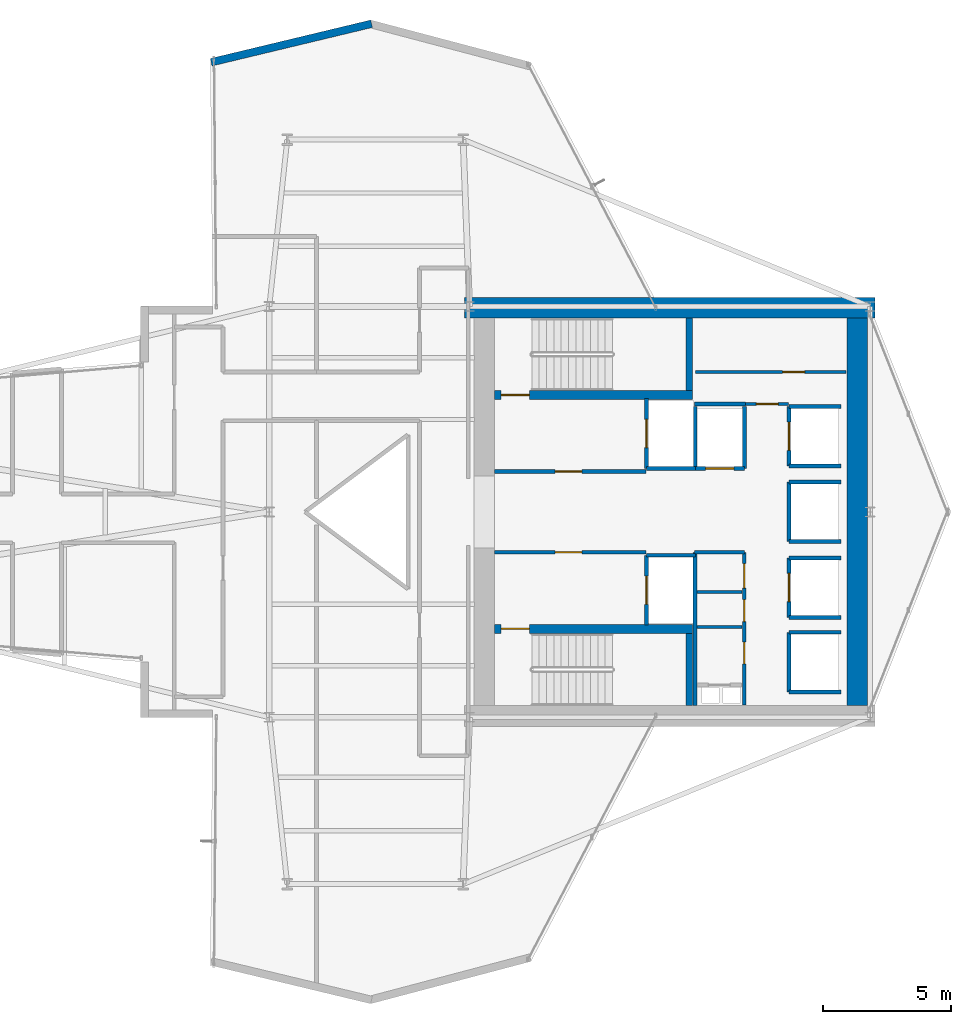
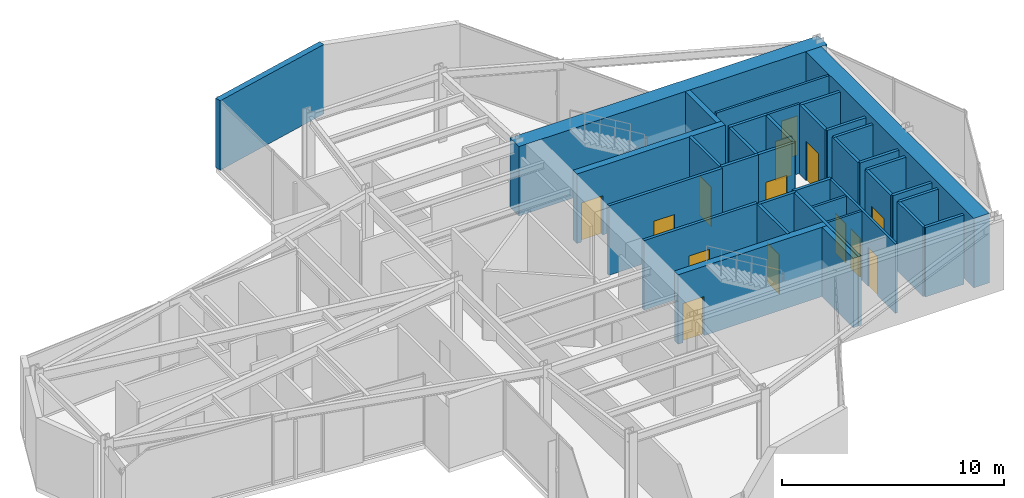
# One storey, part 23 of 25: 36 walls, 14 doors, 14 openings.
"""IFC4 building model written with IfcOpenShell, lengths in metres."""

from ifc_helpers import new_model, si_unit, direction, frame, frame_2d, origin, place, context, subcontext, project, spatial, rectangle, extrude, material, layer, layer_set, type_object, element, fill, save


model = new_model("IFC4")

# Units and contexts
model_context = context("Model", 3, precision=1e-05, world=origin(), true_north=direction((0.0, 1.0)))
body_context = subcontext(model_context, "Body", "Model", "MODEL_VIEW")
ifc_project = project(units=[si_unit("LENGTHUNIT", "METRE"), si_unit("AREAUNIT", "SQUARE_METRE"), si_unit("VOLUMEUNIT", "CUBIC_METRE"), si_unit("PLANEANGLEUNIT", "RADIAN"), si_unit("MASSUNIT", "GRAM", prefix="KILO")], contexts=[model_context])

# Site, building, storey
site_placement = place(None, origin())
site = spatial("IfcSite", under=ifc_project, at=site_placement, CompositionType="ELEMENT")
building_placement = place(site_placement, origin())
building = spatial("IfcBuilding", under=site, at=building_placement, Name="Veymaron Broadcast Tower", CompositionType="ELEMENT")
storey_placement = place(building_placement, frame((0.0, 0.0, 141.14990234375)))
storey = spatial("IfcBuildingStorey", under=building, at=storey_placement, Name="L32", CompositionType="ELEMENT", Elevation=141.14990234375)

# Wall
ifc_material_1 = material(Name="Precast concrete C40/50 with mineral-wool insulation", Category="concrete")
ifc_layer_1 = layer(ifc_material_1, 0.300048828125)
ifc_layer_set_1 = layer_set([ifc_layer_1], Name="Precast concrete C40/50 with mineral-wool insulation")
wall_type_1 = type_object("IfcWallType", Name="WALL-EXT-300", PredefinedType="STANDARD", material=ifc_layer_set_1)
wall_1_placement = place(storey_placement, frame((35.1826171875, 43.013916015625, 0.0), z_axis=(0.0, 0.0, 1.0), x_axis=(-0.972368674271, -0.233450554286, 0.0)))
element("IfcWall", 1, at=wall_1_placement, inside=storey, type_object=wall_type_1, Name="L32 notched corner facade pier 7-1", PredefinedType="STANDARD", context=body_context, shape_type="SweptSolid", body=[
    extrude(rectangle(XDim=6.42529296875, YDim=0.300048828125, at=frame_2d((3.212646484375, 0.0))), origin(), (0.0, 0.0, 1.0), 3.81005859375),
])

# Wall, opening, door
ifc_material_2 = material(Name="Gypsum fireboard and steel stud framing", Category="steel")
ifc_layer_2 = layer(ifc_material_2, 0.14990234375)
ifc_layer_set_2 = layer_set([ifc_layer_2], Name="Gypsum fireboard and steel stud framing")
wall_type_2 = type_object("IfcWallType", Name="WALL-FIRE-150", PredefinedType="PARTITIONING", material=ifc_layer_set_2)
wall_2_placement = place(storey_placement, frame((39.97998046875, 25.574951171875, 0.0), z_axis=(0.0, 0.0, 1.0), x_axis=(1.0, 0.0, 0.0)))
wall_2 = element("IfcWall", 2, at=wall_2_placement, inside=storey, type_object=wall_type_2, Name="L32 partition IW-L32-FFLN-S", PredefinedType="PARTITIONING", context=body_context, shape_type="SweptSolid", body=[
    extrude(rectangle(XDim=5.89990234375, YDim=0.14990234375, at=frame_2d((2.949951171875, 0.0))), origin(), (0.0, 0.0, 1.0), 3.81005859375),
])
opening_1_placement = place(wall_2_placement, frame((2.35009765625, 0.0, 0.0)))
opening_1 = element("IfcOpeningElement", 3, at=opening_1_placement, cuts=wall_2, Name="Opening ID-FL1", PredefinedType="OPENING", context=body_context, shape_type="SweptSolid", body=[
    extrude(rectangle(XDim=1.050048828125, YDim=2.14990234375, at=frame_2d((0.52490234375, 1.074951171875))), frame((0.0, 0.0849609375, 0.0), z_axis=(0.0, -1.0, 0.0), x_axis=(1.0, 0.0, 0.0)), (0.0, 0.0, 1.0), 0.169921875),
])
ifc_material_3 = material(Name="Fire-rated painted hollow steel ASTM A653", Category="steel")
door_type_1 = type_object("IfcDoorType", Name="DOOR-FIRE-1050", OperationType="NOTDEFINED", PredefinedType="DOOR", material=ifc_material_3)
door_1_placement = place(opening_1_placement, origin())
door_1 = element("IfcDoor", 4, at=door_1_placement, inside=storey, type_object=door_type_1, Name="L32 door DR-L32-FFLN", OperationType="SINGLE_SWING_LEFT", OverallHeight=2.14990234375, OverallWidth=1.050048828125, PredefinedType="DOOR", context=body_context, shape_type="SweptSolid", body=[
    extrude(rectangle(XDim=1.050048828125, YDim=2.14990234375, at=frame_2d((0.52490234375, 1.074951171875))), frame((0.0, 0.02490234375, 0.0), z_axis=(0.0, -1.0, 0.0), x_axis=(1.0, 0.0, 0.0)), (0.0, 0.0, 1.0), 0.050048828125),
])
fill(opening_1, door_1)

wall_3_placement = place(storey_placement, frame((39.97998046875, 22.425048828125, 0.0), z_axis=(0.0, 0.0, 1.0), x_axis=(1.0, 0.0, 0.0)))
wall_3 = element("IfcWall", 5, at=wall_3_placement, inside=storey, type_object=wall_type_2, Name="L32 partition IW-L32-FFLS-N", PredefinedType="PARTITIONING", context=body_context, shape_type="SweptSolid", body=[
    extrude(rectangle(XDim=5.89990234375, YDim=0.14990234375, at=frame_2d((2.949951171875, 0.0))), origin(), (0.0, 0.0, 1.0), 3.81005859375),
])
opening_2_placement = place(wall_3_placement, frame((2.35009765625, 0.0, 0.0)))
opening_2 = element("IfcOpeningElement", 6, at=opening_2_placement, cuts=wall_3, Name="Opening ID-FL1", PredefinedType="OPENING", context=body_context, shape_type="SweptSolid", body=[
    extrude(rectangle(XDim=1.050048828125, YDim=2.14990234375, at=frame_2d((0.52490234375, 1.074951171875))), frame((0.0, 0.0849609375, 0.0), z_axis=(0.0, -1.0, 0.0), x_axis=(1.0, 0.0, 0.0)), (0.0, 0.0, 1.0), 0.169921875),
])
door_2_placement = place(opening_2_placement, frame((1.050048828125, 0.0, 0.0), z_axis=(0.0, 0.0, 1.0), x_axis=(-1.0, 0.0, 0.0)))
door_2 = element("IfcDoor", 7, at=door_2_placement, inside=storey, type_object=door_type_1, Name="L32 door DR-L32-FFLS", OperationType="SINGLE_SWING_RIGHT", OverallHeight=2.14990234375, OverallWidth=1.050048828125, PredefinedType="DOOR", context=body_context, shape_type="SweptSolid", body=[
    extrude(rectangle(XDim=1.050048828125, YDim=2.14990234375, at=frame_2d((0.52490234375, 1.074951171875))), frame((0.0, 0.02490234375, 0.0), z_axis=(0.0, -1.0, 0.0), x_axis=(1.0, 0.0, 0.0)), (0.0, 0.0, 1.0), 0.050048828125),
])
fill(opening_2, door_2)

wall_4_placement = place(storey_placement, frame((45.89501953125, 25.68994140625, 0.0), z_axis=(0.0, 0.0, 1.0), x_axis=(0.0, 1.0, 0.0)))
wall_4 = element("IfcWall", 8, at=wall_4_placement, inside=storey, type_object=wall_type_2, Name="L32 partition IW-L32-SHW-FFL-1", PredefinedType="PARTITIONING", context=body_context, shape_type="SweptSolid", body=[
    extrude(rectangle(XDim=2.719970703125, YDim=0.14990234375, at=frame_2d((1.35986328125, 0.0))), origin(), (0.0, 0.0, 1.0), 3.81005859375),
])
opening_3_placement = place(wall_4_placement, frame((0.81005859375, 0.0, 0.0)))
opening_3 = element("IfcOpeningElement", 9, at=opening_3_placement, cuts=wall_4, Name="Opening LD", PredefinedType="OPENING", context=body_context, shape_type="SweptSolid", body=[
    extrude(rectangle(XDim=1.10009765625, YDim=2.14990234375, at=frame_2d((0.550048828125, 1.074951171875))), frame((0.0, 0.0849609375, 0.0), z_axis=(0.0, -1.0, 0.0), x_axis=(1.0, 0.0, 0.0)), (0.0, 0.0, 1.0), 0.169921875),
])
ifc_material_4 = material(Name="Brushed stainless steel AISI 304", Category="steel")
door_type_2 = type_object("IfcDoorType", Name="DOOR-LIFT-1100", OperationType="DOUBLE_DOOR_SLIDING", PredefinedType="DOOR", material=ifc_material_4)
door_3_placement = place(opening_3_placement, frame((1.10009765625, 0.0, 0.0), z_axis=(0.0, 0.0, 1.0), x_axis=(-1.0, 0.0, 0.0)))
door_3 = element("IfcDoor", 10, at=door_3_placement, inside=storey, type_object=door_type_2, Name="L32 door LD-L32-FFL-1", OperationType="DOUBLE_DOOR_SLIDING", OverallHeight=2.14990234375, OverallWidth=1.10009765625, PredefinedType="DOOR", context=body_context, shape_type="SweptSolid", body=[
    extrude(rectangle(XDim=1.10009765625, YDim=2.14990234375, at=frame_2d((0.550048828125, 1.074951171875))), frame((0.0, 0.02490234375, 0.0), z_axis=(0.0, -1.0, 0.0), x_axis=(1.0, 0.0, 0.0)), (0.0, 0.0, 1.0), 0.050048828125),
])
fill(opening_3, door_3)

# Wall
wall_5_placement = place(storey_placement, frame((45.89501953125, 25.68994140625, 0.0), z_axis=(0.0, 0.0, 1.0), x_axis=(1.0, 0.0, 0.0)))
element("IfcWall", 11, at=wall_5_placement, inside=storey, type_object=wall_type_2, Name="L32 partition IW-L32-SHS-FFL-1", PredefinedType="PARTITIONING", context=body_context, shape_type="SweptSolid", body=[
    extrude(rectangle(XDim=1.9150390625, YDim=0.14990234375, at=frame_2d((0.95751953125, 0.0))), origin(), (0.0, 0.0, 1.0), 3.81005859375),
])

# Wall, opening, door
wall_6_placement = place(storey_placement, frame((45.89501953125, 19.590087890625, 0.0), z_axis=(0.0, 0.0, 1.0), x_axis=(0.0, 1.0, 0.0)))
wall_6 = element("IfcWall", 12, at=wall_6_placement, inside=storey, type_object=wall_type_2, Name="L32 partition IW-L32-SHW-FFL-2", PredefinedType="PARTITIONING", context=body_context, shape_type="SweptSolid", body=[
    extrude(rectangle(XDim=2.719970703125, YDim=0.14990234375, at=frame_2d((1.35986328125, 0.0))), origin(), (0.0, 0.0, 1.0), 3.81005859375),
])
opening_4_placement = place(wall_6_placement, frame((0.81005859375, 0.0, 0.0)))
opening_4 = element("IfcOpeningElement", 13, at=opening_4_placement, cuts=wall_6, Name="Opening LD", PredefinedType="OPENING", context=body_context, shape_type="SweptSolid", body=[
    extrude(rectangle(XDim=1.10009765625, YDim=2.14990234375, at=frame_2d((0.550048828125, 1.074951171875))), frame((0.0, 0.0849609375, 0.0), z_axis=(0.0, -1.0, 0.0), x_axis=(1.0, 0.0, 0.0)), (0.0, 0.0, 1.0), 0.169921875),
])
door_4_placement = place(opening_4_placement, frame((1.10009765625, 0.0, 0.0), z_axis=(0.0, 0.0, 1.0), x_axis=(-1.0, 0.0, 0.0)))
door_4 = element("IfcDoor", 14, at=door_4_placement, inside=storey, type_object=door_type_2, Name="L32 door LD-L32-FFL-2", OperationType="DOUBLE_DOOR_SLIDING", OverallHeight=2.14990234375, OverallWidth=1.10009765625, PredefinedType="DOOR", context=body_context, shape_type="SweptSolid", body=[
    extrude(rectangle(XDim=1.10009765625, YDim=2.14990234375, at=frame_2d((0.550048828125, 1.074951171875))), frame((0.0, 0.02490234375, 0.0), z_axis=(0.0, -1.0, 0.0), x_axis=(1.0, 0.0, 0.0)), (0.0, 0.0, 1.0), 0.050048828125),
])
fill(opening_4, door_4)

# Wall
wall_7_placement = place(storey_placement, frame((45.89501953125, 22.31005859375, 0.0), z_axis=(0.0, 0.0, 1.0), x_axis=(1.0, 0.0, 0.0)))
element("IfcWall", 15, at=wall_7_placement, inside=storey, type_object=wall_type_2, Name="L32 partition IW-L32-SHN-FFL-2", PredefinedType="PARTITIONING", context=body_context, shape_type="SweptSolid", body=[
    extrude(rectangle(XDim=1.9150390625, YDim=0.14990234375, at=frame_2d((0.95751953125, 0.0))), origin(), (0.0, 0.0, 1.0), 3.81005859375),
])

# Wall, opening, door
wall_8_placement = place(storey_placement, frame((47.7900390625, 25.695068359375, 0.0), z_axis=(0.0, 0.0, 1.0), x_axis=(1.0, 0.0, 0.0)))
wall_8 = element("IfcWall", 16, at=wall_8_placement, inside=storey, type_object=wall_type_2, Name="L32 partition IW-L32-SHS-SL-1", PredefinedType="PARTITIONING", context=body_context, shape_type="SweptSolid", body=[
    extrude(rectangle(XDim=1.919921875, YDim=0.14990234375, at=frame_2d((0.9599609375, 0.0))), origin(), (0.0, 0.0, 1.0), 3.81005859375),
])
opening_5_placement = place(wall_8_placement, frame((0.409912109375, 0.0, 0.0)))
opening_5 = element("IfcOpeningElement", 17, at=opening_5_placement, cuts=wall_8, Name="Opening LD", PredefinedType="OPENING", context=body_context, shape_type="SweptSolid", body=[
    extrude(rectangle(XDim=1.10009765625, YDim=2.14990234375, at=frame_2d((0.550048828125, 1.074951171875))), frame((0.0, 0.0849609375, 0.0), z_axis=(0.0, -1.0, 0.0), x_axis=(1.0, 0.0, 0.0)), (0.0, 0.0, 1.0), 0.169921875),
])
door_5_placement = place(opening_5_placement, frame((1.10009765625, 0.0, 0.0), z_axis=(0.0, 0.0, 1.0), x_axis=(-1.0, 0.0, 0.0)))
door_5 = element("IfcDoor", 18, at=door_5_placement, inside=storey, type_object=door_type_2, Name="L32 door LD-L32-SL-1", OperationType="DOUBLE_DOOR_SLIDING", OverallHeight=2.14990234375, OverallWidth=1.10009765625, PredefinedType="DOOR", context=body_context, shape_type="SweptSolid", body=[
    extrude(rectangle(XDim=1.10009765625, YDim=2.14990234375, at=frame_2d((0.550048828125, 1.074951171875))), frame((0.0, 0.02490234375, 0.0), z_axis=(0.0, -1.0, 0.0), x_axis=(1.0, 0.0, 0.0)), (0.0, 0.0, 1.0), 0.050048828125),
])
fill(opening_5, door_5)

# Walls
for number, where, z_axis, x_axis, name in (
    (19, (47.7900390625, 25.695068359375, 0.0), (0.0, 0.0, 1.0), (0.0, 1.0, 0.0), "L32 partition IW-L32-SHW-SL-1"),
    (20, (49.7099609375, 25.695068359375, 0.0), (0.0, 0.0, 1.0), (0.0, 1.0, 0.0), "L32 partition IW-L32-SHE-SL-1"),
):
    element("IfcWall", number, at=place(storey_placement, frame(where, z_axis=z_axis, x_axis=x_axis)), inside=storey, type_object=wall_type_2, Name=name, PredefinedType="PARTITIONING", context=body_context, shape_type="SweptSolid", body=[
        extrude(rectangle(XDim=2.4150390625, YDim=0.14990234375, at=frame_2d((1.20751953125, 0.0))), origin(), (0.0, 0.0, 1.0), 3.81005859375),
    ])

# Wall, opening, door
wall_9_placement = place(storey_placement, frame((51.445068359375, 25.7900390625, 0.0), z_axis=(0.0, 0.0, 1.0), x_axis=(0.0, 1.0, 0.0)))
wall_9 = element("IfcWall", 21, at=wall_9_placement, inside=storey, type_object=wall_type_2, Name="L32 partition IW-L32-SHW-PM1", PredefinedType="PARTITIONING", context=body_context, shape_type="SweptSolid", body=[
    extrude(rectangle(XDim=2.320068359375, YDim=0.14990234375, at=frame_2d((1.16015625, 0.0))), origin(), (0.0, 0.0, 1.0), 3.81005859375),
])
opening_6_placement = place(wall_9_placement, frame((0.610107421875, 0.0, 0.0)))
opening_6 = element("IfcOpeningElement", 22, at=opening_6_placement, cuts=wall_9, Name="Opening LD", PredefinedType="OPENING", context=body_context, shape_type="SweptSolid", body=[
    extrude(rectangle(XDim=1.10009765625, YDim=2.14990234375, at=frame_2d((0.550048828125, 1.074951171875))), frame((0.0, 0.0849609375, 0.0), z_axis=(0.0, -1.0, 0.0), x_axis=(1.0, 0.0, 0.0)), (0.0, 0.0, 1.0), 0.169921875),
])
door_6_placement = place(opening_6_placement, frame((1.10009765625, 0.0, 0.0), z_axis=(0.0, 0.0, 1.0), x_axis=(-1.0, 0.0, 0.0)))
door_6 = element("IfcDoor", 23, at=door_6_placement, inside=storey, type_object=door_type_2, Name="L32 door LD-L32-PM1", OperationType="DOUBLE_DOOR_SLIDING", OverallHeight=2.14990234375, OverallWidth=1.10009765625, PredefinedType="DOOR", context=body_context, shape_type="SweptSolid", body=[
    extrude(rectangle(XDim=1.10009765625, YDim=2.14990234375, at=frame_2d((0.550048828125, 1.074951171875))), frame((0.0, 0.02490234375, 0.0), z_axis=(0.0, -1.0, 0.0), x_axis=(1.0, 0.0, 0.0)), (0.0, 0.0, 1.0), 0.050048828125),
])
fill(opening_6, door_6)

# Walls
for number, where, z_axis, x_axis, name in (
    (24, (51.445068359375, 25.7900390625, 0.0), (0.0, 0.0, 1.0), (1.0, 0.0, 0.0), "L32 partition IW-L32-SHS-PM1"),
    (25, (51.445068359375, 28.110107421875, 0.0), (0.0, 0.0, 1.0), (1.0, 0.0, 0.0), "L32 partition IW-L32-SHN-PM1"),
):
    element("IfcWall", number, at=place(storey_placement, frame(where, z_axis=z_axis, x_axis=x_axis)), inside=storey, type_object=wall_type_2, Name=name, PredefinedType="PARTITIONING", context=body_context, shape_type="SweptSolid", body=[
        extrude(rectangle(XDim=2.014892578125, YDim=0.14990234375, at=frame_2d((1.00732421875, 0.0))), origin(), (0.0, 0.0, 1.0), 3.81005859375),
    ])

# Wall, opening, door
wall_10_placement = place(storey_placement, frame((51.445068359375, 19.889892578125, 0.0), z_axis=(0.0, 0.0, 1.0), x_axis=(0.0, 1.0, 0.0)))
wall_10 = element("IfcWall", 26, at=wall_10_placement, inside=storey, type_object=wall_type_2, Name="L32 partition IW-L32-SHW-PM2", PredefinedType="PARTITIONING", context=body_context, shape_type="SweptSolid", body=[
    extrude(rectangle(XDim=2.320068359375, YDim=0.14990234375, at=frame_2d((1.16015625, 0.0))), origin(), (0.0, 0.0, 1.0), 3.81005859375),
])
opening_7_placement = place(wall_10_placement, frame((0.610107421875, 0.0, 0.0)))
opening_7 = element("IfcOpeningElement", 27, at=opening_7_placement, cuts=wall_10, Name="Opening LD", PredefinedType="OPENING", context=body_context, shape_type="SweptSolid", body=[
    extrude(rectangle(XDim=1.10009765625, YDim=2.14990234375, at=frame_2d((0.550048828125, 1.074951171875))), frame((0.0, 0.0849609375, 0.0), z_axis=(0.0, -1.0, 0.0), x_axis=(1.0, 0.0, 0.0)), (0.0, 0.0, 1.0), 0.169921875),
])
door_7_placement = place(opening_7_placement, frame((1.10009765625, 0.0, 0.0), z_axis=(0.0, 0.0, 1.0), x_axis=(-1.0, 0.0, 0.0)))
door_7 = element("IfcDoor", 28, at=door_7_placement, inside=storey, type_object=door_type_2, Name="L32 door LD-L32-PM2", OperationType="DOUBLE_DOOR_SLIDING", OverallHeight=2.14990234375, OverallWidth=1.10009765625, PredefinedType="DOOR", context=body_context, shape_type="SweptSolid", body=[
    extrude(rectangle(XDim=1.10009765625, YDim=2.14990234375, at=frame_2d((0.550048828125, 1.074951171875))), frame((0.0, 0.02490234375, 0.0), z_axis=(0.0, -1.0, 0.0), x_axis=(1.0, 0.0, 0.0)), (0.0, 0.0, 1.0), 0.050048828125),
])
fill(opening_7, door_7)

# Walls
for number, where, z_axis, x_axis, name in (
    (29, (51.445068359375, 19.889892578125, 0.0), (0.0, 0.0, 1.0), (1.0, 0.0, 0.0), "L32 partition IW-L32-SHS-PM2"),
    (30, (51.445068359375, 22.2099609375, 0.0), (0.0, 0.0, 1.0), (1.0, 0.0, 0.0), "L32 partition IW-L32-SHN-PM2"),
):
    element("IfcWall", number, at=place(storey_placement, frame(where, z_axis=z_axis, x_axis=x_axis)), inside=storey, type_object=wall_type_2, Name=name, PredefinedType="PARTITIONING", context=body_context, shape_type="SweptSolid", body=[
        extrude(rectangle(XDim=2.014892578125, YDim=0.14990234375, at=frame_2d((1.00732421875, 0.0))), origin(), (0.0, 0.0, 1.0), 3.81005859375),
    ])
wall_11_placement = place(storey_placement, frame((51.445068359375, 22.840087890625, 0.0), z_axis=(0.0, 0.0, 1.0), x_axis=(0.0, 1.0, 0.0)))
element("IfcWall", 31, at=wall_11_placement, inside=storey, type_object=wall_type_2, Name="L32 partition IW-L32-SHW-PM3", PredefinedType="PARTITIONING", context=body_context, shape_type="SweptSolid", body=[
    extrude(rectangle(XDim=2.31982421875, YDim=0.14990234375, at=frame_2d((1.159912109375, 0.0))), origin(), (0.0, 0.0, 1.0), 3.81005859375),
])
for number, where, z_axis, x_axis, name in (
    (32, (51.445068359375, 22.840087890625, 0.0), (0.0, 0.0, 1.0), (1.0, 0.0, 0.0), "L32 partition IW-L32-SHS-PM3"),
    (33, (51.445068359375, 25.159912109375, 0.0), (0.0, 0.0, 1.0), (1.0, 0.0, 0.0), "L32 partition IW-L32-SHN-PM3"),
):
    element("IfcWall", number, at=place(storey_placement, frame(where, z_axis=z_axis, x_axis=x_axis)), inside=storey, type_object=wall_type_2, Name=name, PredefinedType="PARTITIONING", context=body_context, shape_type="SweptSolid", body=[
        extrude(rectangle(XDim=2.014892578125, YDim=0.14990234375, at=frame_2d((1.00732421875, 0.0))), origin(), (0.0, 0.0, 1.0), 3.81005859375),
    ])
wall_12_placement = place(storey_placement, frame((51.445068359375, 16.989990234375, 0.0), z_axis=(0.0, 0.0, 1.0), x_axis=(0.0, 1.0, 0.0)))
element("IfcWall", 34, at=wall_12_placement, inside=storey, type_object=wall_type_2, Name="L32 partition IW-L32-SHW-PH1", PredefinedType="PARTITIONING", context=body_context, shape_type="SweptSolid", body=[
    extrude(rectangle(XDim=2.320068359375, YDim=0.14990234375, at=frame_2d((1.16015625, 0.0))), origin(), (0.0, 0.0, 1.0), 3.81005859375),
])
for number, where, z_axis, x_axis, name in (
    (35, (51.445068359375, 16.989990234375, 0.0), (0.0, 0.0, 1.0), (1.0, 0.0, 0.0), "L32 partition IW-L32-SHS-PH1"),
    (36, (51.445068359375, 19.31005859375, 0.0), (0.0, 0.0, 1.0), (1.0, 0.0, 0.0), "L32 partition IW-L32-SHN-PH1"),
):
    element("IfcWall", number, at=place(storey_placement, frame(where, z_axis=z_axis, x_axis=x_axis)), inside=storey, type_object=wall_type_2, Name=name, PredefinedType="PARTITIONING", context=body_context, shape_type="SweptSolid", body=[
        extrude(rectangle(XDim=2.014892578125, YDim=0.14990234375, at=frame_2d((1.00732421875, 0.0))), origin(), (0.0, 0.0, 1.0), 3.81005859375),
    ])
wall_13_placement = place(storey_placement, frame((47.760009765625, 22.425048828125, 0.0), z_axis=(0.0, 0.0, 1.0), x_axis=(1.0, 0.0, 0.0)))
element("IfcWall", 37, at=wall_13_placement, inside=storey, type_object=wall_type_2, Name="L32 partition IW-L32-SM-N", PredefinedType="PARTITIONING", context=body_context, shape_type="SweptSolid", body=[
    extrude(rectangle(XDim=1.9599609375, YDim=0.14990234375, at=frame_2d((0.97998046875, 0.0))), origin(), (0.0, 0.0, 1.0), 3.81005859375),
])
wall_14_placement = place(storey_placement, frame((47.780029296875, 16.449951171875, 0.0), z_axis=(0.0, 0.0, 1.0), x_axis=(0.0, 1.0, 0.0)))
element("IfcWall", 38, at=wall_14_placement, inside=storey, type_object=wall_type_2, Name="L32 partition IW-L32-SM-W", PredefinedType="PARTITIONING", context=body_context, shape_type="SweptSolid", body=[
    extrude(rectangle(XDim=5.97509765625, YDim=0.14990234375, at=frame_2d((2.987548828125, 0.0))), origin(), (0.0, 0.0, 1.0), 3.81005859375),
])
wall_15_placement = place(storey_placement, frame((47.760009765625, 28.199951171875, 0.0), z_axis=(0.0, 0.0, 1.0), x_axis=(1.0, 0.0, 0.0)))
element("IfcWall", 39, at=wall_15_placement, inside=storey, type_object=wall_type_2, Name="L32 partition IW-L32-F1-SW", PredefinedType="PARTITIONING", context=body_context, shape_type="SweptSolid", body=[
    extrude(rectangle(XDim=1.989990234375, YDim=0.14990234375, at=frame_2d((0.9951171875, 0.0))), origin(), (0.0, 0.0, 1.0), 3.81005859375),
])
ifc_material_5 = material(Name="Acoustic gypsum board and galvanized stud", Category="gypsum")
ifc_layer_3 = layer(ifc_material_5, 0.1201171875)
ifc_layer_set_3 = layer_set([ifc_layer_3], Name="Acoustic gypsum board and galvanized stud")
wall_type_3 = type_object("IfcWallType", Name="WALL-PART-120", PredefinedType="PARTITIONING", material=ifc_layer_set_3)
for number, where, z_axis, x_axis, name in (
    (40, (47.860107421875, 19.52001953125, 0.0), (0.0, 0.0, 1.0), (1.0, 0.0, 0.0), "L32 partition IW-L32-SM-D1"),
    (41, (47.860107421875, 20.8798828125, 0.0), (0.0, 0.0, 1.0), (1.0, 0.0, 0.0), "L32 partition IW-L32-SM-D2"),
):
    element("IfcWall", number, at=place(storey_placement, frame(where, z_axis=z_axis, x_axis=x_axis)), inside=storey, type_object=wall_type_3, Name=name, PredefinedType="PARTITIONING", context=body_context, shape_type="SweptSolid", body=[
        extrude(rectangle(XDim=1.760009765625, YDim=0.1201171875, at=frame_2d((0.8798828125, 0.0))), origin(), (0.0, 0.0, 1.0), 3.81005859375),
    ])

# Wall, openings, doors
wall_16_placement = place(storey_placement, frame((49.699951171875, 16.47998046875, 0.0), z_axis=(0.0, 0.0, 1.0), x_axis=(0.0, 1.0, 0.0)))
wall_16 = element("IfcWall", 42, at=wall_16_placement, inside=storey, type_object=wall_type_3, Name="L32 partition IW-L32-SM-E", PredefinedType="PARTITIONING", context=body_context, shape_type="SweptSolid", body=[
    extrude(rectangle(XDim=5.945068359375, YDim=0.1201171875, at=frame_2d((2.97265625, 0.0))), origin(), (0.0, 0.0, 1.0), 3.81005859375),
])
opening_8_placement = place(wall_16_placement, frame((1.60009765625, 0.0, 0.0)))
opening_8 = element("IfcOpeningElement", 43, at=opening_8_placement, cuts=wall_16, Name="Opening ID-WC1", PredefinedType="OPENING", context=body_context, shape_type="SweptSolid", body=[
    extrude(rectangle(XDim=0.85009765625, YDim=2.14990234375, at=frame_2d((0.425048828125, 1.074951171875))), frame((0.0, 0.070068359375, 0.0), z_axis=(0.0, -1.0, 0.0), x_axis=(1.0, 0.0, 0.0)), (0.0, 0.0, 1.0), 0.14013671875),
])
opening_9_placement = place(wall_16_placement, frame((3.25, 0.0, 0.0)))
opening_9 = element("IfcOpeningElement", 44, at=opening_9_placement, cuts=wall_16, Name="Opening ID-WC1", PredefinedType="OPENING", context=body_context, shape_type="SweptSolid", body=[
    extrude(rectangle(XDim=0.85009765625, YDim=2.14990234375, at=frame_2d((0.425048828125, 1.074951171875))), frame((0.0, 0.070068359375, 0.0), z_axis=(0.0, -1.0, 0.0), x_axis=(1.0, 0.0, 0.0)), (0.0, 0.0, 1.0), 0.14013671875),
])
opening_10_placement = place(wall_16_placement, frame((4.550048828125, 0.0, 0.0)))
opening_10 = element("IfcOpeningElement", 45, at=opening_10_placement, cuts=wall_16, Name="Opening ID-RM1", PredefinedType="OPENING", context=body_context, shape_type="SweptSolid", body=[
    extrude(rectangle(XDim=0.949951171875, YDim=2.14990234375, at=frame_2d((0.47509765625, 1.074951171875))), frame((0.0, 0.070068359375, 0.0), z_axis=(0.0, -1.0, 0.0), x_axis=(1.0, 0.0, 0.0)), (0.0, 0.0, 1.0), 0.14013671875),
])
ifc_material_6 = material(Name="Moisture-resistant high-pressure laminate timber", Category="wood")
door_type_3 = type_object("IfcDoorType", Name="DOOR-INT-850", OperationType="NOTDEFINED", PredefinedType="DOOR", material=ifc_material_6)
door_8_placement = place(opening_8_placement, frame((0.85009765625, 0.0, 0.0), z_axis=(0.0, 0.0, 1.0), x_axis=(-1.0, 0.0, 0.0)))
door_8 = element("IfcDoor", 46, at=door_8_placement, inside=storey, type_object=door_type_3, Name="L32 door DR-L32-JST", OperationType="SINGLE_SWING_LEFT", OverallHeight=2.14990234375, OverallWidth=0.85009765625, PredefinedType="DOOR", context=body_context, shape_type="SweptSolid", body=[
    extrude(rectangle(XDim=0.85009765625, YDim=2.14990234375, at=frame_2d((0.425048828125, 1.074951171875))), frame((0.0, 0.02490234375, 0.0), z_axis=(0.0, -1.0, 0.0), x_axis=(1.0, 0.0, 0.0)), (0.0, 0.0, 1.0), 0.050048828125),
])
fill(opening_8, door_8)
door_9_placement = place(opening_9_placement, frame((0.85009765625, 0.0, 0.0), z_axis=(0.0, 0.0, 1.0), x_axis=(-1.0, 0.0, 0.0)))
door_9 = element("IfcDoor", 47, at=door_9_placement, inside=storey, type_object=door_type_3, Name="L32 door DR-L32-SWC", OperationType="SINGLE_SWING_RIGHT", OverallHeight=2.14990234375, OverallWidth=0.85009765625, PredefinedType="DOOR", context=body_context, shape_type="SweptSolid", body=[
    extrude(rectangle(XDim=0.85009765625, YDim=2.14990234375, at=frame_2d((0.425048828125, 1.074951171875))), frame((0.0, 0.02490234375, 0.0), z_axis=(0.0, -1.0, 0.0), x_axis=(1.0, 0.0, 0.0)), (0.0, 0.0, 1.0), 0.050048828125),
])
fill(opening_9, door_9)
ifc_material_7 = material(Name="Acoustic solid-core European oak veneer timber", Category="wood")
door_type_4 = type_object("IfcDoorType", Name="DOOR-INT-950", OperationType="NOTDEFINED", PredefinedType="DOOR", material=ifc_material_7)
door_10_placement = place(opening_10_placement, frame((0.949951171875, 0.0, 0.0), z_axis=(0.0, 0.0, 1.0), x_axis=(-1.0, 0.0, 0.0)))
door_10 = element("IfcDoor", 48, at=door_10_placement, inside=storey, type_object=door_type_4, Name="L32 door DR-L32-AWC", OperationType="SINGLE_SWING_LEFT", OverallHeight=2.14990234375, OverallWidth=0.949951171875, PredefinedType="DOOR", context=body_context, shape_type="SweptSolid", body=[
    extrude(rectangle(XDim=0.949951171875, YDim=2.14990234375, at=frame_2d((0.47509765625, 1.074951171875))), frame((0.0, 0.02490234375, 0.0), z_axis=(0.0, -1.0, 0.0), x_axis=(1.0, 0.0, 0.0)), (0.0, 0.0, 1.0), 0.050048828125),
])
fill(opening_10, door_10)

# Wall, opening, door
wall_17_placement = place(storey_placement, frame((49.75, 28.199951171875, 0.0), z_axis=(0.0, 0.0, 1.0), x_axis=(1.0, 0.0, 0.0)))
wall_17 = element("IfcWall", 49, at=wall_17_placement, inside=storey, type_object=wall_type_3, Name="L32 partition IW-L32-F1-S", PredefinedType="PARTITIONING", context=body_context, shape_type="SweptSolid", body=[
    extrude(rectangle(XDim=1.669921875, YDim=0.1201171875, at=frame_2d((0.8349609375, 0.0))), origin(), (0.0, 0.0, 1.0), 3.81005859375),
])
opening_11_placement = place(wall_17_placement, frame((0.419921875, 0.0, 0.0)))
opening_11 = element("IfcOpeningElement", 50, at=opening_11_placement, cuts=wall_17, Name="Opening ID-WC1", PredefinedType="OPENING", context=body_context, shape_type="SweptSolid", body=[
    extrude(rectangle(XDim=0.85009765625, YDim=2.14990234375, at=frame_2d((0.425048828125, 1.074951171875))), frame((0.0, 0.070068359375, 0.0), z_axis=(0.0, -1.0, 0.0), x_axis=(1.0, 0.0, 0.0)), (0.0, 0.0, 1.0), 0.14013671875),
])
door_11_placement = place(opening_11_placement, origin())
door_11 = element("IfcDoor", 51, at=door_11_placement, inside=storey, type_object=door_type_3, Name="L32 door DR-L32-F1A", OperationType="SINGLE_SWING_LEFT", OverallHeight=2.14990234375, OverallWidth=0.85009765625, PredefinedType="DOOR", context=body_context, shape_type="SweptSolid", body=[
    extrude(rectangle(XDim=0.85009765625, YDim=2.14990234375, at=frame_2d((0.425048828125, 1.074951171875))), frame((0.0, 0.02490234375, 0.0), z_axis=(0.0, -1.0, 0.0), x_axis=(1.0, 0.0, 0.0)), (0.0, 0.0, 1.0), 0.050048828125),
])
fill(opening_11, door_11)

wall_18_placement = place(storey_placement, frame((47.800048828125, 29.449951171875, 0.0), z_axis=(0.0, 0.0, 1.0), x_axis=(1.0, 0.0, 0.0)))
wall_18 = element("IfcWall", 52, at=wall_18_placement, inside=storey, type_object=wall_type_3, Name="L32 partition IW-L32-F1-MY", PredefinedType="PARTITIONING", context=body_context, shape_type="SweptSolid", body=[
    extrude(rectangle(XDim=5.85986328125, YDim=0.1201171875, at=frame_2d((2.929931640625, 0.0))), origin(), (0.0, 0.0, 1.0), 3.81005859375),
])
opening_12_placement = place(wall_18_placement, frame((3.39990234375, 0.0, 0.0)))
opening_12 = element("IfcOpeningElement", 53, at=opening_12_placement, cuts=wall_18, Name="Opening ID-WC1", PredefinedType="OPENING", context=body_context, shape_type="SweptSolid", body=[
    extrude(rectangle(XDim=0.85009765625, YDim=2.14990234375, at=frame_2d((0.425048828125, 1.074951171875))), frame((0.0, 0.070068359375, 0.0), z_axis=(0.0, -1.0, 0.0), x_axis=(1.0, 0.0, 0.0)), (0.0, 0.0, 1.0), 0.14013671875),
])
door_12_placement = place(opening_12_placement, origin())
door_12 = element("IfcDoor", 54, at=door_12_placement, inside=storey, type_object=door_type_3, Name="L32 door DR-L32-F1B", OperationType="SINGLE_SWING_LEFT", OverallHeight=2.14990234375, OverallWidth=0.85009765625, PredefinedType="DOOR", context=body_context, shape_type="SweptSolid", body=[
    extrude(rectangle(XDim=0.85009765625, YDim=2.14990234375, at=frame_2d((0.425048828125, 1.074951171875))), frame((0.0, 0.02490234375, 0.0), z_axis=(0.0, -1.0, 0.0), x_axis=(1.0, 0.0, 0.0)), (0.0, 0.0, 1.0), 0.050048828125),
])
fill(opening_12, door_12)

# Walls
ifc_material_8 = material(Name="Concrete C50/60", Category="concrete")
ifc_layer_4 = layer(ifc_material_8, 0.25)
ifc_layer_set_4 = layer_set([ifc_layer_4], Name="Concrete C50/60")
wall_type_4 = type_object("IfcWallType", Name="WALL-SHEAR-250", PredefinedType="SHEAR", material=ifc_layer_set_4)
for number, where, z_axis, x_axis, name in (
    (55, (47.56494140625, 28.72998046875, 0.0), (0.0, 0.0, 1.0), (0.0, 1.0, 0.0), "L32 Core Wall north stair east shear"),
    (56, (47.56494140625, 16.449951171875, 0.0), (0.0, 0.0, 1.0), (0.0, 1.0, 0.0), "L32 Core Wall south stair east shear"),
):
    element("IfcWall", number, at=place(storey_placement, frame(where, z_axis=z_axis, x_axis=x_axis)), inside=storey, type_object=wall_type_4, Name=name, PredefinedType="SHEAR", context=body_context, shape_type="SweptSolid", body=[
        extrude(rectangle(XDim=2.820068359375, YDim=0.25, at=frame_2d((1.41015625, 0.0))), origin(), (0.0, 0.0, 1.0), 3.81005859375),
    ])

# Wall, opening, door
ifc_layer_5 = layer(ifc_material_8, 0.35009765625)
ifc_layer_set_5 = layer_set([ifc_layer_5], Name="Concrete C50/60")
wall_type_5 = type_object("IfcWallType", Name="WALL-SHEAR-350", PredefinedType="SHEAR", material=ifc_layer_set_5)
wall_19_placement = place(storey_placement, frame((39.97998046875, 28.554931640625, 0.0), z_axis=(0.0, 0.0, 1.0), x_axis=(1.0, 0.0, 0.0)))
wall_19 = element("IfcWall", 57, at=wall_19_placement, inside=storey, type_object=wall_type_5, Name="L32 Core Wall north stair spine", PredefinedType="SHEAR", context=body_context, shape_type="SweptSolid", body=[
    extrude(rectangle(XDim=7.7099609375, YDim=0.35009765625, at=frame_2d((3.85498046875, 0.0))), origin(), (0.0, 0.0, 1.0), 3.81005859375),
])
opening_13_placement = place(wall_19_placement, frame((0.25, 0.0, 0.0)))
opening_13 = element("IfcOpeningElement", 58, at=opening_13_placement, cuts=wall_19, Name="Opening ID-ST1", PredefinedType="OPENING", context=body_context, shape_type="SweptSolid", body=[
    extrude(rectangle(XDim=1.10009765625, YDim=2.14990234375, at=frame_2d((0.550048828125, 1.074951171875))), frame((0.0, 0.18505859375, 0.0), z_axis=(0.0, -1.0, 0.0), x_axis=(1.0, 0.0, 0.0)), (0.0, 0.0, 1.0), 0.3701171875),
])
door_type_5 = type_object("IfcDoorType", Name="DOOR-STAIR-1100", OperationType="NOTDEFINED", PredefinedType="DOOR", material=ifc_material_3)
door_13_placement = place(opening_13_placement, origin())
door_13 = element("IfcDoor", 59, at=door_13_placement, inside=storey, type_object=door_type_5, Name="L32 exit stair ST1 fire door", OperationType="SINGLE_SWING_LEFT", OverallHeight=2.14990234375, OverallWidth=1.10009765625, PredefinedType="DOOR", context=body_context, shape_type="SweptSolid", body=[
    extrude(rectangle(XDim=1.10009765625, YDim=2.14990234375, at=frame_2d((0.550048828125, 1.074951171875))), frame((0.0, 0.02490234375, 0.0), z_axis=(0.0, -1.0, 0.0), x_axis=(1.0, 0.0, 0.0)), (0.0, 0.0, 1.0), 0.050048828125),
])
fill(opening_13, door_13)

wall_20_placement = place(storey_placement, frame((39.97998046875, 19.445068359375, 0.0), z_axis=(0.0, 0.0, 1.0), x_axis=(1.0, 0.0, 0.0)))
wall_20 = element("IfcWall", 60, at=wall_20_placement, inside=storey, type_object=wall_type_5, Name="L32 Core Wall south stair spine", PredefinedType="SHEAR", context=body_context, shape_type="SweptSolid", body=[
    extrude(rectangle(XDim=7.7099609375, YDim=0.35009765625, at=frame_2d((3.85498046875, 0.0))), origin(), (0.0, 0.0, 1.0), 3.81005859375),
])
opening_14_placement = place(wall_20_placement, frame((0.25, 0.0, 0.0)))
opening_14 = element("IfcOpeningElement", 61, at=opening_14_placement, cuts=wall_20, Name="Opening ID-ST1", PredefinedType="OPENING", context=body_context, shape_type="SweptSolid", body=[
    extrude(rectangle(XDim=1.10009765625, YDim=2.14990234375, at=frame_2d((0.550048828125, 1.074951171875))), frame((0.0, 0.18505859375, 0.0), z_axis=(0.0, -1.0, 0.0), x_axis=(1.0, 0.0, 0.0)), (0.0, 0.0, 1.0), 0.3701171875),
])
door_14_placement = place(opening_14_placement, frame((1.10009765625, 0.0, 0.0), z_axis=(0.0, 0.0, 1.0), x_axis=(-1.0, 0.0, 0.0)))
door_14 = element("IfcDoor", 62, at=door_14_placement, inside=storey, type_object=door_type_5, Name="L32 exit stair ST2 fire door", OperationType="SINGLE_SWING_RIGHT", OverallHeight=2.14990234375, OverallWidth=1.10009765625, PredefinedType="DOOR", context=body_context, shape_type="SweptSolid", body=[
    extrude(rectangle(XDim=1.10009765625, YDim=2.14990234375, at=frame_2d((0.550048828125, 1.074951171875))), frame((0.0, 0.02490234375, 0.0), z_axis=(0.0, -1.0, 0.0), x_axis=(1.0, 0.0, 0.0)), (0.0, 0.0, 1.0), 0.050048828125),
])
fill(opening_14, door_14)

# Walls
ifc_material_9 = material(Name="Concrete C60/75", Category="concrete")
ifc_layer_6 = layer(ifc_material_9, 0.800048828125)
ifc_layer_set_6 = layer_set([ifc_layer_6], Name="Concrete C60/75")
wall_type_6 = type_object("IfcWallType", Name="WALL-SHEAR-800", PredefinedType="SHEAR", material=ifc_layer_set_6)
wall_21_placement = place(storey_placement, frame((38.800048828125, 31.949951171875, 0.0), z_axis=(0.0, 0.0, 1.0), x_axis=(1.0, 0.0, 0.0)))
element("IfcWall", 63, at=wall_21_placement, inside=storey, type_object=wall_type_6, Name="L32 Core Wall north shear", PredefinedType="SHEAR", context=body_context, shape_type="SweptSolid", body=[
    extrude(rectangle(XDim=16.0, YDim=0.800048828125, at=frame_2d((8.0, 0.0))), origin(), (0.0, 0.0, 1.0), 3.81005859375),
])
wall_22_placement = place(storey_placement, frame((54.10009765625, 16.449951171875, 0.0), z_axis=(0.0, 0.0, 1.0), x_axis=(0.0, 1.0, 0.0)))
element("IfcWall", 64, at=wall_22_placement, inside=storey, type_object=wall_type_6, Name="L32 Core Wall east shear", PredefinedType="SHEAR", context=body_context, shape_type="SweptSolid", body=[
    extrude(rectangle(XDim=15.10009765625, YDim=0.800048828125, at=frame_2d((7.550048828125, 0.0))), origin(), (0.0, 0.0, 1.0), 3.81005859375),
])

save(model, "model.ifc")
